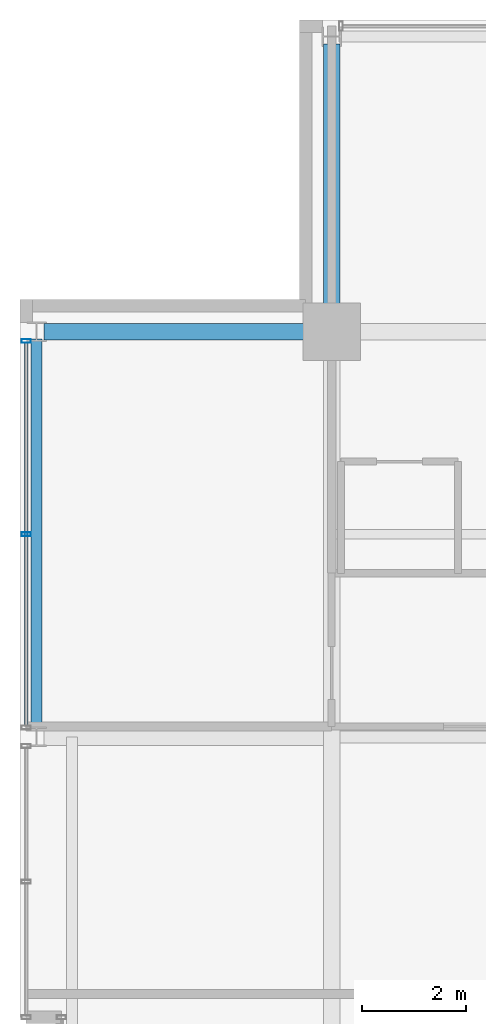
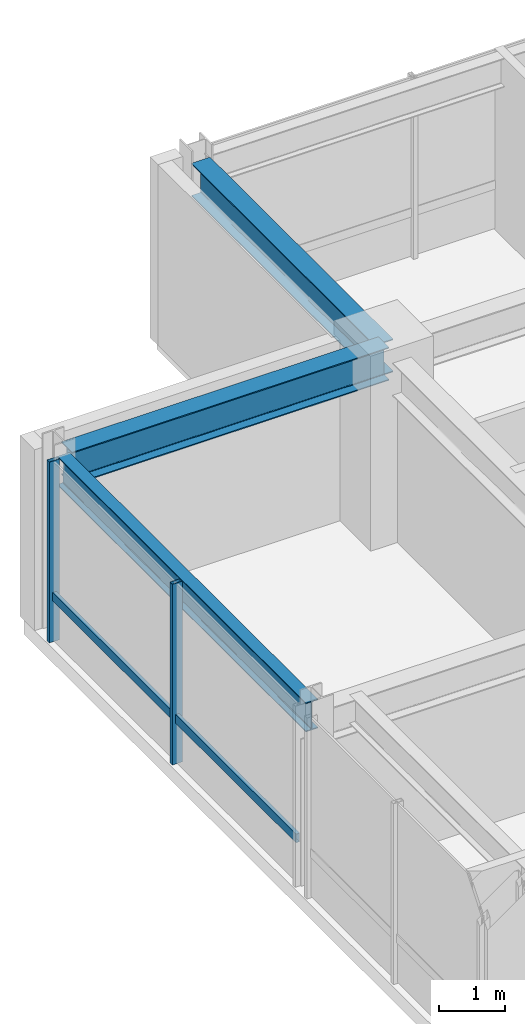
# One storey, part 18 of 32: 3 beams, 3 members, 1 element without a shape of its own.
"""IFC4 building model written with IfcOpenShell, lengths in metres."""

from ifc_helpers import new_model, si_unit, direction, frame, origin, origin_2d, place, context, subcontext, project, spatial, hollow_rectangle, i_section, extrude, material, layer, layer_set, material_profile, profile_set, type_object, element, aggregate, save


model = new_model("IFC4")

# Units and contexts
model_context = context("Model", 3, precision=1e-05, world=origin(), true_north=direction((0.0, 1.0)))
body_context = subcontext(model_context, "Body", "Model", "MODEL_VIEW")
ifc_project = project(units=[si_unit("LENGTHUNIT", "METRE"), si_unit("AREAUNIT", "SQUARE_METRE"), si_unit("VOLUMEUNIT", "CUBIC_METRE"), si_unit("PLANEANGLEUNIT", "RADIAN"), si_unit("MASSUNIT", "GRAM", prefix="KILO")], contexts=[model_context])

# Site, building, storey
site_placement = place(None, origin())
site = spatial("IfcSite", under=ifc_project, at=site_placement, CompositionType="ELEMENT")
building_placement = place(site_placement, origin())
building = spatial("IfcBuilding", under=site, at=building_placement, Name="Drelvath Grand Hotel", CompositionType="ELEMENT")
storey_placement = place(building_placement, frame((0.0, 0.0, 237.5)))
storey = spatial("IfcBuildingStorey", under=building, at=storey_placement, Name="L62", CompositionType="ELEMENT", Elevation=237.5)

# Curtain wall, members
ifc_material_1 = material(Name="Platinum-Mist Anodised Aluminium Frame", Category="aluminium")
ifc_layer = layer(ifc_material_1, 0.199951171875)
ifc_layer_set = layer_set([ifc_layer], Name="Platinum-Mist Anodised Aluminium Frame")
curtain_wall_type = type_object("IfcCurtainWallType", Name="Stick Curtain Wall CW-05 Platinum Mist High-Rise", PredefinedType="NOTDEFINED", material=ifc_layer_set)
curtain_wall_placement = place(storey_placement, origin())
curtain_wall = element("IfcCurtainWall", 1, at=curtain_wall_placement, inside=storey, type_object=curtain_wall_type, Name="L62 CW-05 Curtain Wall CW05-L62-WN2", PredefinedType="NOTDEFINED")
ifc_material_profile_1 = material_profile(ifc_material_1, hollow_rectangle(XDim=0.06494140625, YDim=0.159912109375, WallThickness=0.00390625, at=origin_2d()), Name="HSS160X65X4")
ifc_profile_set_1 = profile_set([ifc_material_profile_1], Name="Platinum-Mist Anodised Aluminium Frame")
member_type_1 = type_object("IfcMemberType", Name="Curtain Wall Horizontal Transom CW-05 HSS160X65X4", PredefinedType="USERDEFINED", material=ifc_profile_set_1)
member_1_placement = place(storey_placement, frame((-22.080078125, 35.6181640625, 0.8349609375), z_axis=(0.0, 1.0, 0.0), x_axis=(-1.0, 0.0, 0.0)))
member_1 = element("IfcMember", 2, at=member_1_placement, type_object=member_type_1, Name="CW05-L62-WN2 Sill Transom", ObjectType="TRANSOM", PredefinedType="USERDEFINED", context=body_context, shape_type="SweptSolid", body=[
    extrude(hollow_rectangle(XDim=0.06494140625, YDim=0.159912109375, WallThickness=0.00390625, at=origin_2d()), origin(), (0.0, 0.0, 1.0), 7.363525390625),
])
ifc_material_profile_2 = material_profile(ifc_material_1, hollow_rectangle(XDim=0.074951171875, YDim=0.179931640625, WallThickness=0.0048828125, at=origin_2d()), Name="HSS180X75X5")
ifc_profile_set_2 = profile_set([ifc_material_profile_2], Name="Platinum-Mist Anodised Aluminium Frame")
member_type_2 = type_object("IfcMemberType", Name="Curtain Wall Vertical Mullion CW-05 HSS180X75X5", PredefinedType="MULLION", material=ifc_profile_set_2)
member_2_placement = place(storey_placement, frame((-22.080078125, 39.300048828125, 0.0), z_axis=(0.0, 0.0, 1.0), x_axis=(0.0, 1.0, 0.0)))
member_2 = element("IfcMember", 3, at=member_2_placement, type_object=member_type_2, Name="CW05-L62-WN2 Mullion 2", PredefinedType="MULLION", context=body_context, shape_type="SweptSolid", body=[
    extrude(hollow_rectangle(XDim=0.074951171875, YDim=0.179931640625, WallThickness=0.0048828125, at=origin_2d()), origin(), (0.0, 0.0, 1.0), 3.340087890625),
])
member_3_placement = place(storey_placement, frame((-22.080078125, 43.021728515625, 0.0), z_axis=(0.0, 0.0, 1.0), x_axis=(0.0, 1.0, 0.0)))
member_3 = element("IfcMember", 4, at=member_3_placement, type_object=member_type_2, Name="CW05-L62-WN2 Mullion 3", PredefinedType="MULLION", context=body_context, shape_type="SweptSolid", body=[
    extrude(hollow_rectangle(XDim=0.074951171875, YDim=0.179931640625, WallThickness=0.0048828125, at=origin_2d()), origin(), (0.0, 0.0, 1.0), 3.340087890625),
])
aggregate(curtain_wall, [member_2, member_3, member_1])

# Beams
ifc_material_2 = material(Name="Steel ASTM A992 Gr 50", Category="steel")
ifc_material_profile_3 = material_profile(ifc_material_2, i_section(OverallWidth=0.210205078125, OverallDepth=0.53662109375, WebThickness=0.010986328125, FlangeThickness=0.017333984375, FilletRadius=0.01806640625, at=origin_2d()), Name="W21X68")
ifc_profile_set_3 = profile_set([ifc_material_profile_3], Name="Steel ASTM A992 Gr 50")
beam_type_1 = type_object("IfcBeamType", Name="Perimeter Spandrel Beam W21X68", PredefinedType="SPANDREL", material=ifc_profile_set_3)
beam_placement = place(storey_placement, frame((-21.8798828125, 35.5400390625, 3.07177734375), z_axis=(0.0, 1.0, 0.0), x_axis=(-1.0, 0.0, 0.0)))
element("IfcBeam", 5, at=beam_placement, inside=storey, type_object=beam_type_1, Name="L62 Spandrel West N", PredefinedType="SPANDREL", context=body_context, shape_type="SweptSolid", body=[
    extrude(i_section(OverallWidth=0.210205078125, OverallDepth=0.53662109375, WebThickness=0.010986328125, FlangeThickness=0.017333984375, FilletRadius=0.01806640625, at=origin_2d()), origin(), (0.0, 0.0, 1.0), 7.52001953125),
])
ifc_material_profile_4 = material_profile(ifc_material_2, i_section(OverallWidth=0.323974609375, OverallDepth=0.611083984375, WebThickness=0.0126953125, FlangeThickness=0.01904296875, FilletRadius=0.02197265625, at=origin_2d()), Name="W24X104")
ifc_profile_set_4 = profile_set([ifc_material_profile_4], Name="Steel ASTM A992 Gr 50")
beam_type_2 = type_object("IfcBeamType", Name="Primary Floor Girder W24X104", PredefinedType="BEAM", material=ifc_profile_set_4)
for number, where, z_axis, x_axis, name in (
    (6, (-21.739990234375, 43.199951171875, 3.034423828125), (1.0, 0.0, 0.0), (0.0, 1.0, 0.0), "L62 West Grid Girder G"),
    (7, (-16.199951171875, 43.199951171875, 3.034423828125), (0.0, 1.0, 0.0), (-1.0, 0.0, 0.0), "L62 North Grid Girder 3"),
):
    element("IfcBeam", number, at=place(storey_placement, frame(where, z_axis=z_axis, x_axis=x_axis)), inside=storey, type_object=beam_type_2, Name=name, PredefinedType="BEAM", context=body_context, shape_type="SweptSolid", body=[
        extrude(i_section(OverallWidth=0.323974609375, OverallDepth=0.611083984375, WebThickness=0.0126953125, FlangeThickness=0.01904296875, FilletRadius=0.02197265625, at=origin_2d()), origin(), (0.0, 0.0, 1.0), 5.5400390625),
    ])

save(model, "model.ifc")
